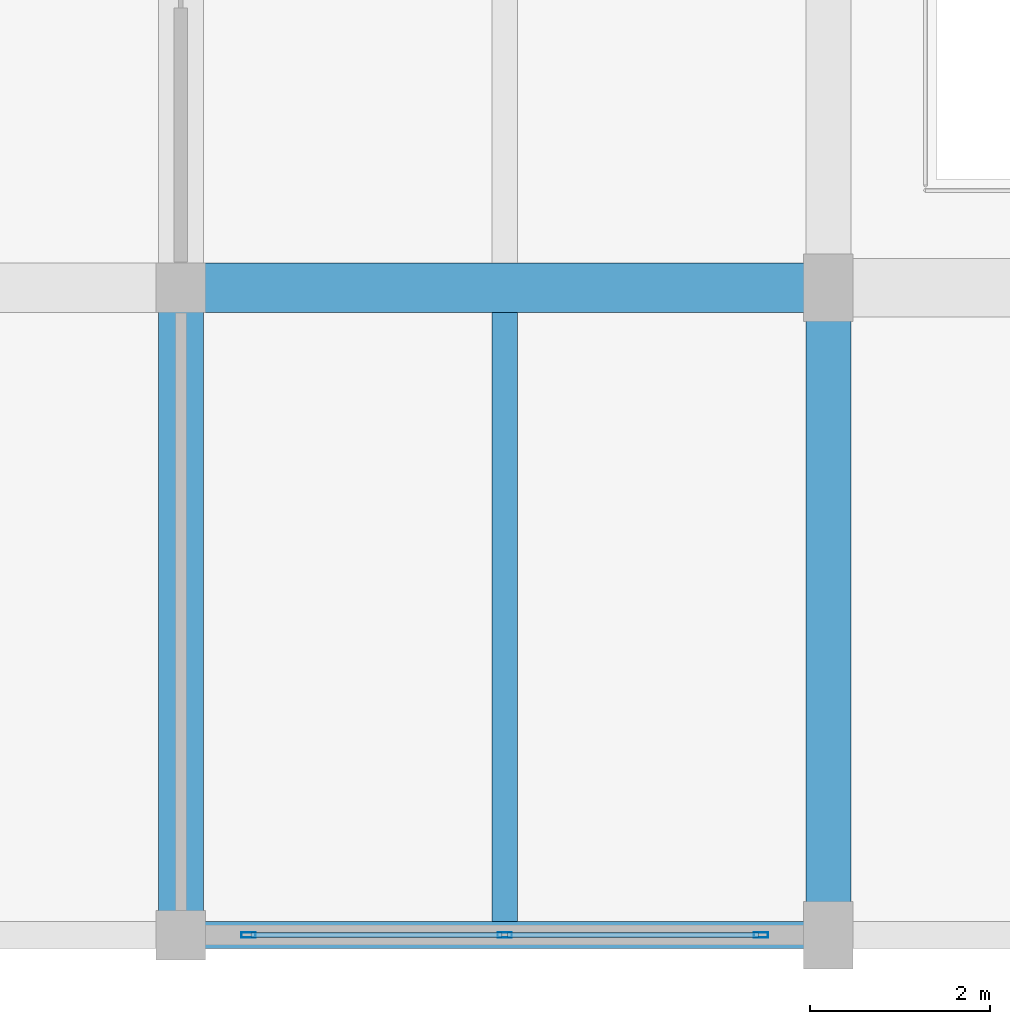
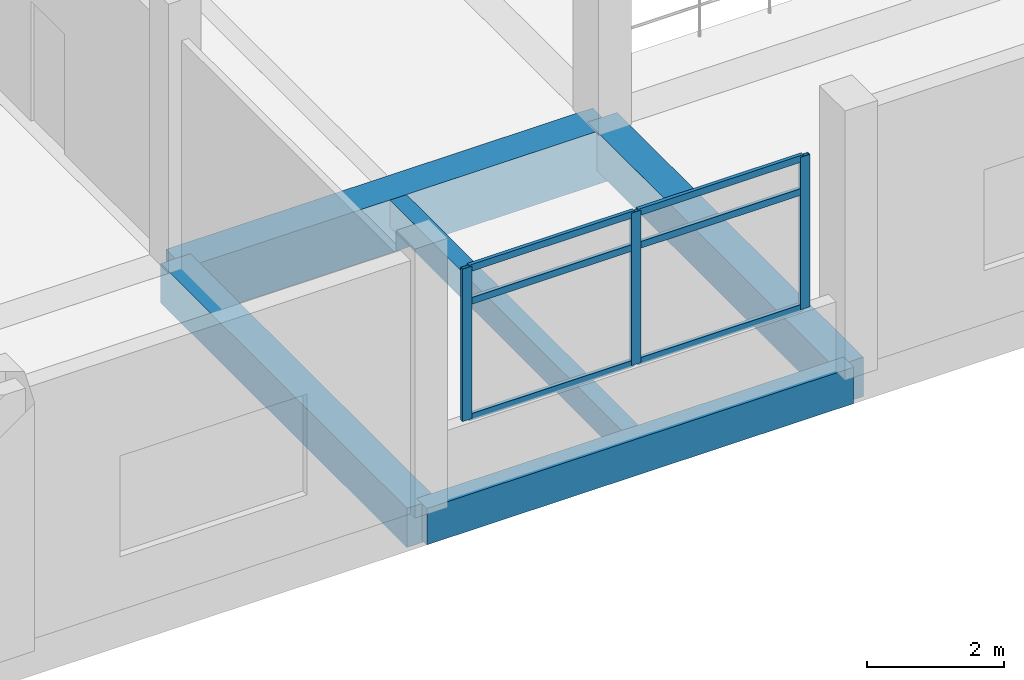
# One storey, part 104 of 181: 9 members, 5 beams, 1 element without a shape of its own.
"""IFC4 building model written with IfcOpenShell, lengths in metres."""

from ifc_helpers import new_model, si_unit, direction, frame, origin, origin_2d, place, context, subcontext, project, spatial, rectangle, hollow_rectangle, extrude, material, layer, layer_set, material_profile, profile_set, type_object, element, aggregate, save


model = new_model("IFC4")

# Units and contexts
model_context = context("Model", 3, precision=1e-05, world=origin(), true_north=direction((0.0, 1.0)))
body_context = subcontext(model_context, "Body", "Model", "MODEL_VIEW")
ifc_project = project(units=[si_unit("LENGTHUNIT", "METRE"), si_unit("AREAUNIT", "SQUARE_METRE"), si_unit("VOLUMEUNIT", "CUBIC_METRE"), si_unit("PLANEANGLEUNIT", "RADIAN"), si_unit("MASSUNIT", "GRAM", prefix="KILO")], contexts=[model_context])

# Site, building, storey
site_placement = place(None, origin())
site = spatial("IfcSite", under=ifc_project, at=site_placement, CompositionType="ELEMENT")
building_placement = place(site_placement, origin())
building = spatial("IfcBuilding", under=site, at=building_placement, Name="Seraya Terrace Polytechnic", CompositionType="ELEMENT")
storey_placement = place(building_placement, frame((0.0, 0.0, 4.800048828125)))
storey = spatial("IfcBuildingStorey", under=building, at=storey_placement, Name="L01", CompositionType="ELEMENT", Elevation=4.800048828125)

# Beams
ifc_material_1 = material(Name="Concrete C40/50", Category="concrete")
ifc_material_profile_1 = material_profile(ifc_material_1, rectangle(XDim=0.550048828125, YDim=0.949951171875, at=origin_2d()), Name="RC 550x950")
ifc_profile_set_1 = profile_set([ifc_material_profile_1], Name="Concrete C40/50")
beam_type_1 = type_object("IfcBeamType", Name="BM-03", PredefinedType="BEAM", material=ifc_profile_set_1)
beam_1_placement = place(storey_placement, frame((129.60009765625, 7.199951171875, -0.47509765625), z_axis=(1.0, 0.0, 0.0), x_axis=(0.0, 1.0, 0.0)))
element("IfcBeam", 1, at=beam_1_placement, inside=storey, type_object=beam_type_1, Name="Beam BM-03 L01 X (129.6..136.8, 7.2)", PredefinedType="BEAM", context=body_context, shape_type="SweptSolid", body=[
    extrude(rectangle(XDim=0.550048828125, YDim=0.949951171875, at=origin_2d()), origin(), (0.0, 0.0, 1.0), 7.199951171875),
])
ifc_material_profile_2 = material_profile(ifc_material_1, rectangle(XDim=0.5, YDim=0.699951171875, at=origin_2d()), Name="RC 500x700")
ifc_profile_set_2 = profile_set([ifc_material_profile_2], Name="Concrete C40/50")
beam_type_2 = type_object("IfcBeamType", Name="BM-07", PredefinedType="BEAM", material=ifc_profile_set_2)
for number, where, z_axis, x_axis, name in (
    (2, (129.60009765625, 0.0, -0.35009765625), (0.0, 1.0, 0.0), (-1.0, 0.0, 0.0), "Beam BM-07 L01 Y (129.6, 0.0..7.2)"),
    (3, (136.800048828125, 0.0, -0.35009765625), (0.0, 1.0, 0.0), (-1.0, 0.0, 0.0), "Beam BM-07 L01 Y (136.8, 0.0..7.2)"),
):
    element("IfcBeam", number, at=place(storey_placement, frame(where, z_axis=z_axis, x_axis=x_axis)), inside=storey, type_object=beam_type_2, Name=name, PredefinedType="BEAM", context=body_context, shape_type="SweptSolid", body=[
        extrude(rectangle(XDim=0.5, YDim=0.699951171875, at=origin_2d()), origin(), (0.0, 0.0, 1.0), 7.199951171875),
    ])

# Curtain wall, members
ifc_material_2 = material(Name="Anodised aluminium EN AW-6063 T6", Category="aluminium")
ifc_layer = layer(ifc_material_2, 0.179931640625, Name="CW-29")
ifc_layer_set = layer_set([ifc_layer], Name="Anodised aluminium EN AW-6063 T6")
curtain_wall_type = type_object("IfcCurtainWallType", Name="CW-29", PredefinedType="NOTDEFINED", material=ifc_layer_set)
curtain_wall_placement = place(storey_placement, origin())
curtain_wall = element("IfcCurtainWall", 4, at=curtain_wall_placement, inside=storey, type_object=curtain_wall_type, Name="Unitised curtain wall CW-29 (CW-L01-029)", PredefinedType="NOTDEFINED")
ifc_material_profile_3 = material_profile(ifc_material_2, hollow_rectangle(XDim=0.06005859375, YDim=0.159912109375, WallThickness=0.00341796875, at=origin_2d()), Name="RHS 160x60x3.5")
ifc_profile_set_3 = profile_set([ifc_material_profile_3], Name="Anodised aluminium EN AW-6063 T6")
member_type_1 = type_object("IfcMemberType", Name="CWM-02", PredefinedType="MULLION", material=ifc_profile_set_3)
member_1_placement = place(storey_placement, frame((136.050048828125, 0.0, 1.239990234375), z_axis=(0.0, 0.0, 1.0), x_axis=(0.0, -1.0, 0.0)))
member_1 = element("IfcMember", 5, at=member_1_placement, type_object=member_type_1, Name="CW-29 mullion 1", PredefinedType="MULLION", context=body_context, shape_type="SweptSolid", body=[
    extrude(hollow_rectangle(XDim=0.06005859375, YDim=0.159912109375, WallThickness=0.00341796875, at=origin_2d()), origin(), (0.0, 0.0, 1.0), 2.719970703125),
])
member_2_placement = place(storey_placement, frame((133.199951171875, 0.0, 1.239990234375), z_axis=(0.0, 0.0, 1.0), x_axis=(0.0, -1.0, 0.0)))
member_2 = element("IfcMember", 6, at=member_2_placement, type_object=member_type_1, Name="CW-29 mullion 2", PredefinedType="MULLION", context=body_context, shape_type="SweptSolid", body=[
    extrude(hollow_rectangle(XDim=0.06005859375, YDim=0.159912109375, WallThickness=0.00341796875, at=origin_2d()), origin(), (0.0, 0.0, 1.0), 2.719970703125),
])
member_3_placement = place(storey_placement, frame((130.35009765625, 0.0, 1.239990234375), z_axis=(0.0, 0.0, 1.0), x_axis=(0.0, -1.0, 0.0)))
member_3 = element("IfcMember", 7, at=member_3_placement, type_object=member_type_1, Name="CW-29 mullion 3", PredefinedType="MULLION", context=body_context, shape_type="SweptSolid", body=[
    extrude(hollow_rectangle(XDim=0.06005859375, YDim=0.159912109375, WallThickness=0.00341796875, at=origin_2d()), origin(), (0.0, 0.0, 1.0), 2.719970703125),
])
ifc_material_profile_4 = material_profile(ifc_material_2, hollow_rectangle(XDim=0.06005859375, YDim=0.1201171875, WallThickness=0.003173828125, at=origin_2d()), Name="RHS 120x60x3.2")
ifc_profile_set_4 = profile_set([ifc_material_profile_4], Name="Anodised aluminium EN AW-6063 T6")
member_type_2 = type_object("IfcMemberType", Name="CWT-02", PredefinedType="USERDEFINED", material=ifc_profile_set_4)
member_4_placement = place(storey_placement, frame((136.02001953125, 0.0, 1.27001953125), z_axis=(-1.0, 0.0, 0.0), x_axis=(0.0, -1.0, 0.0)))
member_4 = element("IfcMember", 8, at=member_4_placement, type_object=member_type_2, Name="CW-29 transom 1.1", ObjectType="TRANSOM", PredefinedType="USERDEFINED", context=body_context, shape_type="SweptSolid", body=[
    extrude(hollow_rectangle(XDim=0.06005859375, YDim=0.1201171875, WallThickness=0.003173828125, at=origin_2d()), origin(), (0.0, 0.0, 1.0), 2.7900390625),
])
member_5_placement = place(storey_placement, frame((136.02001953125, 0.0, 3.33984375), z_axis=(-1.0, 0.0, 0.0), x_axis=(0.0, -1.0, 0.0)))
member_5 = element("IfcMember", 9, at=member_5_placement, type_object=member_type_2, Name="CW-29 transom 1.2", ObjectType="TRANSOM", PredefinedType="USERDEFINED", context=body_context, shape_type="SweptSolid", body=[
    extrude(hollow_rectangle(XDim=0.06005859375, YDim=0.1201171875, WallThickness=0.003173828125, at=origin_2d()), origin(), (0.0, 0.0, 1.0), 2.7900390625),
])
member_6_placement = place(storey_placement, frame((136.02001953125, 0.0, 3.929931640625), z_axis=(-1.0, 0.0, 0.0), x_axis=(0.0, -1.0, 0.0)))
member_6 = element("IfcMember", 10, at=member_6_placement, type_object=member_type_2, Name="CW-29 transom 1.3", ObjectType="TRANSOM", PredefinedType="USERDEFINED", context=body_context, shape_type="SweptSolid", body=[
    extrude(hollow_rectangle(XDim=0.06005859375, YDim=0.1201171875, WallThickness=0.003173828125, at=origin_2d()), origin(), (0.0, 0.0, 1.0), 2.7900390625),
])
member_7_placement = place(storey_placement, frame((133.169921875, 0.0, 1.27001953125), z_axis=(-1.0, 0.0, 0.0), x_axis=(0.0, -1.0, 0.0)))
member_7 = element("IfcMember", 11, at=member_7_placement, type_object=member_type_2, Name="CW-29 transom 2.1", ObjectType="TRANSOM", PredefinedType="USERDEFINED", context=body_context, shape_type="SweptSolid", body=[
    extrude(hollow_rectangle(XDim=0.06005859375, YDim=0.1201171875, WallThickness=0.003173828125, at=origin_2d()), origin(), (0.0, 0.0, 1.0), 2.7900390625),
])
member_8_placement = place(storey_placement, frame((133.169921875, 0.0, 3.33984375), z_axis=(-1.0, 0.0, 0.0), x_axis=(0.0, -1.0, 0.0)))
member_8 = element("IfcMember", 12, at=member_8_placement, type_object=member_type_2, Name="CW-29 transom 2.2", ObjectType="TRANSOM", PredefinedType="USERDEFINED", context=body_context, shape_type="SweptSolid", body=[
    extrude(hollow_rectangle(XDim=0.06005859375, YDim=0.1201171875, WallThickness=0.003173828125, at=origin_2d()), origin(), (0.0, 0.0, 1.0), 2.7900390625),
])
member_9_placement = place(storey_placement, frame((133.169921875, 0.0, 3.929931640625), z_axis=(-1.0, 0.0, 0.0), x_axis=(0.0, -1.0, 0.0)))
member_9 = element("IfcMember", 13, at=member_9_placement, type_object=member_type_2, Name="CW-29 transom 2.3", ObjectType="TRANSOM", PredefinedType="USERDEFINED", context=body_context, shape_type="SweptSolid", body=[
    extrude(hollow_rectangle(XDim=0.06005859375, YDim=0.1201171875, WallThickness=0.003173828125, at=origin_2d()), origin(), (0.0, 0.0, 1.0), 2.7900390625),
])
aggregate(curtain_wall, [member_1, member_2, member_3, member_4, member_5, member_6, member_7, member_8, member_9])

# Beams
ifc_material_profile_5 = material_profile(ifc_material_1, rectangle(XDim=0.280029296875, YDim=0.47998046875, at=origin_2d()), Name="RC 280x480")
ifc_profile_set_5 = profile_set([ifc_material_profile_5], Name="Concrete C40/50")
beam_type_3 = type_object("IfcBeamType", Name="JS-07", PredefinedType="JOIST", material=ifc_profile_set_5)
beam_2_placement = place(storey_placement, frame((133.199951171875, 0.14990234375, -0.239990234375), z_axis=(0.0, 1.0, 0.0), x_axis=(-1.0, 0.0, 0.0)))
element("IfcBeam", 14, at=beam_2_placement, inside=storey, type_object=beam_type_3, Name="Secondary joist JS-07 L01", PredefinedType="JOIST", context=body_context, shape_type="SweptSolid", body=[
    extrude(rectangle(XDim=0.280029296875, YDim=0.47998046875, at=origin_2d()), origin(), (0.0, 0.0, 1.0), 6.775146484375),
])
ifc_material_profile_6 = material_profile(ifc_material_1, rectangle(XDim=0.300048828125, YDim=0.64990234375, at=origin_2d()), Name="RC 300x650")
ifc_profile_set_6 = profile_set([ifc_material_profile_6], Name="Concrete C40/50")
beam_type_4 = type_object("IfcBeamType", Name="SP-01", PredefinedType="SPANDREL", material=ifc_profile_set_6)
beam_3_placement = place(storey_placement, frame((129.60009765625, 0.0, -0.324951171875), z_axis=(1.0, 0.0, 0.0), x_axis=(0.0, 1.0, 0.0)))
element("IfcBeam", 15, at=beam_3_placement, inside=storey, type_object=beam_type_4, Name="Beam SP-01 L01 X (129.6..136.8, 0.0)", PredefinedType="SPANDREL", context=body_context, shape_type="SweptSolid", body=[
    extrude(rectangle(XDim=0.300048828125, YDim=0.64990234375, at=origin_2d()), origin(), (0.0, 0.0, 1.0), 7.199951171875),
])

save(model, "model.ifc")
